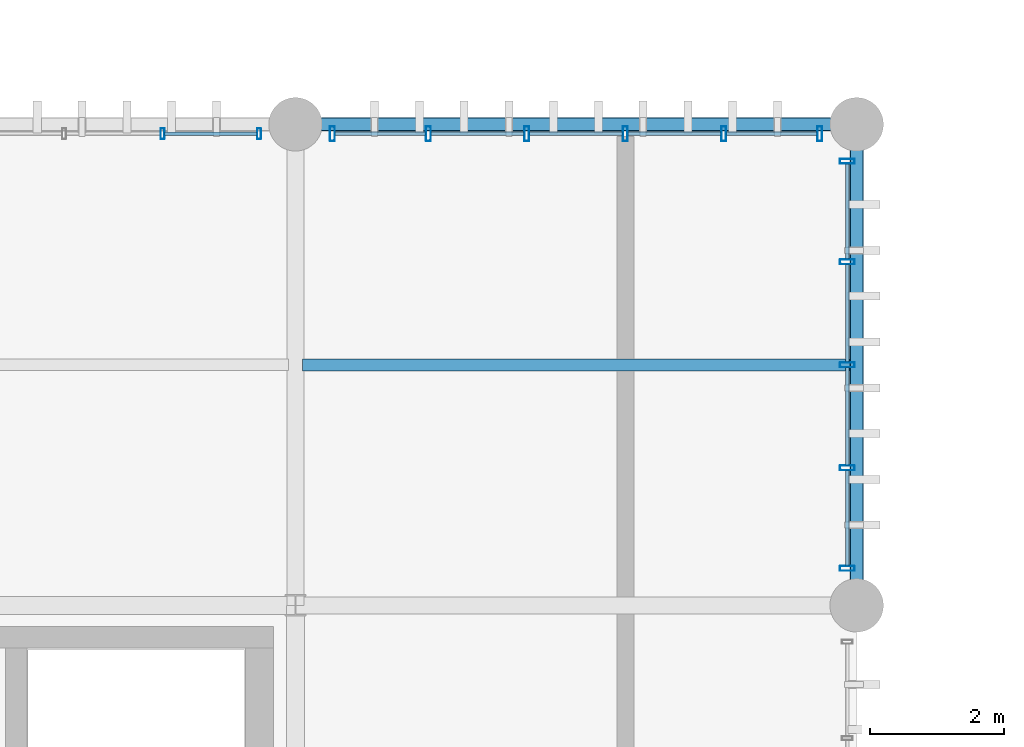
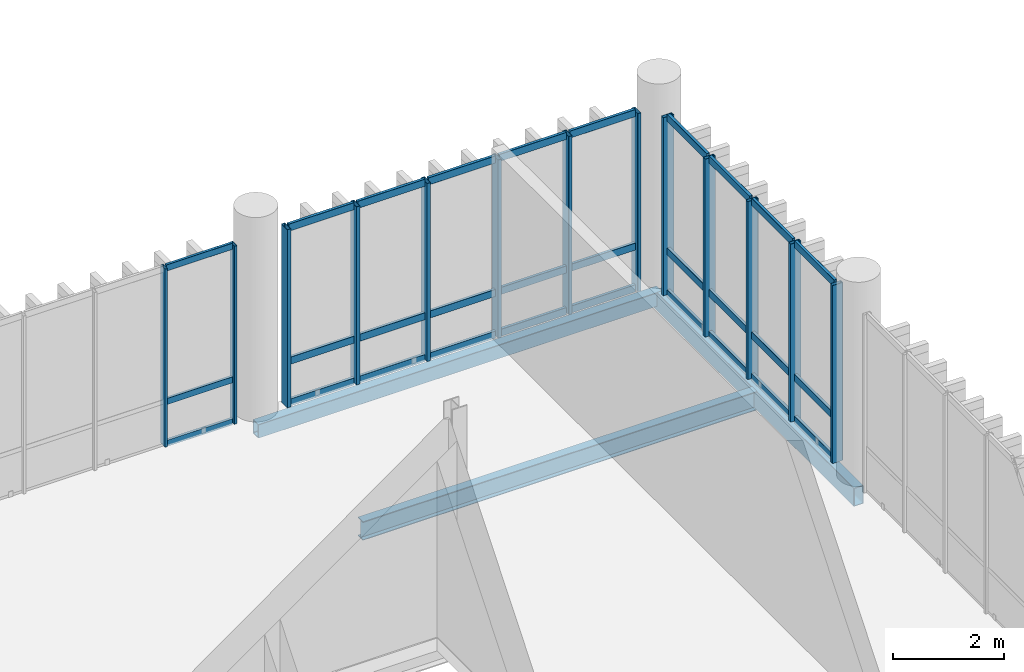
# One storey, part 34 of 68: 43 members, 3 beams, 3 elements without a shape of their own.
"""IFC4 building model written with IfcOpenShell, lengths in metres."""

from ifc_helpers import new_model, si_unit, direction, frame, origin_with_axes, origin_2d_with_axis, place, context, subcontext, project, spatial, hollow_rectangle, i_section, extrude, material, material_profile, profile_set, type_object, element, aggregate, save


model = new_model("IFC4")

# Units and contexts
model_context = context("Model", 3, precision=1e-05, world=origin_with_axes(), true_north=direction((0.0, 1.0)))
body_context = subcontext(model_context, "Body", "Model", "MODEL_VIEW")
ifc_project = project(units=[si_unit("LENGTHUNIT", "METRE"), si_unit("AREAUNIT", "SQUARE_METRE"), si_unit("VOLUMEUNIT", "CUBIC_METRE"), si_unit("PLANEANGLEUNIT", "RADIAN"), si_unit("MASSUNIT", "GRAM", prefix="KILO"), si_unit("THERMODYNAMICTEMPERATUREUNIT", "KELVIN")], contexts=[model_context])

# Site, building, storey
site_placement = place(None, origin_with_axes())
site = spatial("IfcSite", under=ifc_project, at=site_placement, CompositionType="ELEMENT")
building_placement = place(site_placement, origin_with_axes())
building = spatial("IfcBuilding", under=site, at=building_placement, Name="Montbau Bow Law Courts", CompositionType="ELEMENT")
storey_placement = place(building_placement, frame((0.0, 0.0, 20.4), z_axis=(0.0, 0.0, 1.0), x_axis=(1.0, 0.0, 0.0)))
storey = spatial("IfcBuildingStorey", under=building, at=storey_placement, Name="L04", CompositionType="ELEMENT", Elevation=20.4)

# Beams
ifc_material_1 = material(Name="Steel CSA G40.21 Grade 350W (350 MPa)", Category="steel")
ifc_material_profile_1 = material_profile(ifc_material_1, i_section(OverallWidth=0.179, OverallDepth=0.41, WebThickness=0.0088, FlangeThickness=0.0144, at=origin_2d_with_axis()), Name="W410X67", Category="Main", Priority=0)
ifc_profile_set_1 = profile_set([ifc_material_profile_1], Name="Steel CSA G40.21 Grade 350W (350 MPa)")
beam_type_1 = type_object("IfcBeamType", Name="B-JST-02", PredefinedType="JOIST", material=ifc_profile_set_1)
beam_1_placement = place(None, frame((88.903, 58.2, 19.915), z_axis=(1.0, 0.0, 0.0), x_axis=(0.0, 1.0, 0.0)))
element("IfcBeam", 1, at=beam_1_placement, inside=storey, type_object=beam_type_1, Name="JST-L04-S0493:jst2_0493", PredefinedType="JOIST", context=body_context, shape_type="SweptSolid", body=[
    extrude(i_section(OverallWidth=0.179, OverallDepth=0.41, WebThickness=0.0088, FlangeThickness=0.0144, at=origin_2d_with_axis()), origin_with_axes(), (0.0, 0.0, 1.0), 8.217),
])
ifc_material_2 = material(Name="Steel CSA G40.21 Grade 350WT (350 MPa)", Category="steel")
ifc_material_profile_2 = material_profile(ifc_material_2, hollow_rectangle(XDim=0.203, YDim=0.406, WallThickness=0.0127, InnerFilletRadius=0.0254, OuterFilletRadius=0.0127, at=origin_2d_with_axis()), Name="HSS406X203X13", Category="Main", Priority=0)
ifc_profile_set_2 = profile_set([ifc_material_profile_2], Name="Steel CSA G40.21 Grade 350WT (350 MPa)")
beam_type_2 = type_object("IfcBeamType", Name="B-SPN-01", PredefinedType="SPANDREL", material=ifc_profile_set_2)
beam_2_placement = place(None, frame((97.2, 54.6, 19.917), z_axis=(0.0, 1.0, 0.0), x_axis=(-1.0, 0.0, 0.0)))
element("IfcBeam", 2, at=beam_2_placement, inside=storey, type_object=beam_type_2, Name="SPN-L04-S0955:bm2_0958", PredefinedType="SPANDREL", context=body_context, shape_type="SweptSolid", body=[
    extrude(hollow_rectangle(XDim=0.203, YDim=0.406, WallThickness=0.0127, InnerFilletRadius=0.0254, OuterFilletRadius=0.0127, at=origin_2d_with_axis()), origin_with_axes(), (0.0, 0.0, 1.0), 7.2),
])
ifc_material_profile_3 = material_profile(ifc_material_2, hollow_rectangle(XDim=0.203, YDim=0.305, WallThickness=0.0127, InnerFilletRadius=0.0254, OuterFilletRadius=0.0127, at=origin_2d_with_axis()), Name="HSS305X203X13", Category="Main", Priority=0)
ifc_profile_set_3 = profile_set([ifc_material_profile_3], Name="Steel CSA G40.21 Grade 350WT (350 MPa)")
beam_type_3 = type_object("IfcBeamType", Name="B-SPN-02", PredefinedType="SPANDREL", material=ifc_profile_set_3)
beam_3_placement = place(None, frame((88.8, 61.8, 19.968), z_axis=(1.0, 0.0, 0.0), x_axis=(0.0, 1.0, 0.0)))
element("IfcBeam", 3, at=beam_3_placement, inside=storey, type_object=beam_type_3, Name="SPN-L04-S0938:bm2_0941", PredefinedType="SPANDREL", context=body_context, shape_type="SweptSolid", body=[
    extrude(hollow_rectangle(XDim=0.203, YDim=0.305, WallThickness=0.0127, InnerFilletRadius=0.0254, OuterFilletRadius=0.0127, at=origin_2d_with_axis()), origin_with_axes(), (0.0, 0.0, 1.0), 8.4),
])

# Curtain wall, members
ifc_material_3 = material(Name="Thermally Broken Extruded Aluminium AA 6063-T6", Category="aluminium")
curtain_wall_type = type_object("IfcCurtainWallType", Name="CW-CRM-01", PredefinedType="NOTDEFINED", material=ifc_material_3)
curtain_wall_1_placement = place(None, frame((89.315, 61.66, 20.4), z_axis=(0.0, 0.0, 1.0), x_axis=(1.0, 0.0, 0.0)))
curtain_wall_1 = element("IfcCurtainWall", 4, at=curtain_wall_1_placement, inside=storey, type_object=curtain_wall_type, Name="CW-L04-204:cw_0204", PredefinedType="NOTDEFINED")
ifc_material_profile_4 = material_profile(ifc_material_3, hollow_rectangle(XDim=0.075, YDim=0.22, WallThickness=0.005, InnerFilletRadius=0.01, OuterFilletRadius=0.005, at=origin_2d_with_axis()), Name="CWM-220X75", Category="Main", Priority=0)
ifc_profile_set_4 = profile_set([ifc_material_profile_4], Name="Thermally Broken Extruded Aluminium AA 6063-T6")
member_type_1 = type_object("IfcMemberType", Name="M-MUL-01", PredefinedType="MULLION", material=ifc_profile_set_4)
member_1_placement = place(None, frame((89.352, 61.66, 20.4), z_axis=(0.0, 0.0, 1.0), x_axis=(1.0, 0.0, 0.0)))
member_1 = element("IfcMember", 5, at=member_1_placement, type_object=member_type_1, Name="CW-L04-204-M01:cw_0204_M01", PredefinedType="MULLION", context=body_context, shape_type="SweptSolid", body=[
    extrude(hollow_rectangle(XDim=0.075, YDim=0.22, WallThickness=0.005, InnerFilletRadius=0.01, OuterFilletRadius=0.005, at=origin_2d_with_axis()), origin_with_axes(), (0.0, 0.0, 1.0), 3.92),
])
member_2_placement = place(None, frame((90.789, 61.66, 20.4), z_axis=(0.0, 0.0, 1.0), x_axis=(1.0, 0.0, 0.0)))
member_2 = element("IfcMember", 6, at=member_2_placement, type_object=member_type_1, Name="CW-L04-204-M02:cw_0204_M02", PredefinedType="MULLION", context=body_context, shape_type="SweptSolid", body=[
    extrude(hollow_rectangle(XDim=0.075, YDim=0.22, WallThickness=0.005, InnerFilletRadius=0.01, OuterFilletRadius=0.005, at=origin_2d_with_axis()), origin_with_axes(), (0.0, 0.0, 1.0), 3.92),
])
member_3_placement = place(None, frame((92.263, 61.66, 20.4), z_axis=(0.0, 0.0, 1.0), x_axis=(1.0, 0.0, 0.0)))
member_3 = element("IfcMember", 7, at=member_3_placement, type_object=member_type_1, Name="CW-L04-204-M03:cw_0204_M03", PredefinedType="MULLION", context=body_context, shape_type="SweptSolid", body=[
    extrude(hollow_rectangle(XDim=0.075, YDim=0.22, WallThickness=0.005, InnerFilletRadius=0.01, OuterFilletRadius=0.005, at=origin_2d_with_axis()), origin_with_axes(), (0.0, 0.0, 1.0), 3.92),
])
member_4_placement = place(None, frame((93.737, 61.66, 20.4), z_axis=(0.0, 0.0, 1.0), x_axis=(1.0, 0.0, 0.0)))
member_4 = element("IfcMember", 8, at=member_4_placement, type_object=member_type_1, Name="CW-L04-204-M04:cw_0204_M04", PredefinedType="MULLION", context=body_context, shape_type="SweptSolid", body=[
    extrude(hollow_rectangle(XDim=0.075, YDim=0.22, WallThickness=0.005, InnerFilletRadius=0.01, OuterFilletRadius=0.005, at=origin_2d_with_axis()), origin_with_axes(), (0.0, 0.0, 1.0), 3.92),
])
member_5_placement = place(None, frame((95.211, 61.66, 20.4), z_axis=(0.0, 0.0, 1.0), x_axis=(1.0, 0.0, 0.0)))
member_5 = element("IfcMember", 9, at=member_5_placement, type_object=member_type_1, Name="CW-L04-204-M05:cw_0204_M05", PredefinedType="MULLION", context=body_context, shape_type="SweptSolid", body=[
    extrude(hollow_rectangle(XDim=0.075, YDim=0.22, WallThickness=0.005, InnerFilletRadius=0.01, OuterFilletRadius=0.005, at=origin_2d_with_axis()), origin_with_axes(), (0.0, 0.0, 1.0), 3.92),
])
member_6_placement = place(None, frame((96.648, 61.66, 20.4), z_axis=(0.0, 0.0, 1.0), x_axis=(1.0, 0.0, 0.0)))
member_6 = element("IfcMember", 10, at=member_6_placement, type_object=member_type_1, Name="CW-L04-204-M06:cw_0204_M06", PredefinedType="MULLION", context=body_context, shape_type="SweptSolid", body=[
    extrude(hollow_rectangle(XDim=0.075, YDim=0.22, WallThickness=0.005, InnerFilletRadius=0.01, OuterFilletRadius=0.005, at=origin_2d_with_axis()), origin_with_axes(), (0.0, 0.0, 1.0), 3.92),
])

curtain_wall_2_placement = place(None, frame((97.06, 55.115, 20.4), z_axis=(0.0, 0.0, 1.0), x_axis=(1.0, 0.0, 0.0)))
curtain_wall_2 = element("IfcCurtainWall", 11, at=curtain_wall_2_placement, inside=storey, type_object=curtain_wall_type, Name="CW-L04-210:cw_0210", PredefinedType="NOTDEFINED")
member_7_placement = place(None, frame((97.06, 55.152, 20.4), z_axis=(0.0, 0.0, 1.0), x_axis=(0.0, 1.0, 0.0)))
member_7 = element("IfcMember", 12, at=member_7_placement, type_object=member_type_1, Name="CW-L04-210-M01:cw_0210_M01", PredefinedType="MULLION", context=body_context, shape_type="SweptSolid", body=[
    extrude(hollow_rectangle(XDim=0.075, YDim=0.22, WallThickness=0.005, InnerFilletRadius=0.01, OuterFilletRadius=0.005, at=origin_2d_with_axis()), origin_with_axes(), (0.0, 0.0, 1.0), 3.92),
])
member_8_placement = place(None, frame((97.06, 56.657, 20.4), z_axis=(0.0, 0.0, 1.0), x_axis=(0.0, 1.0, 0.0)))
member_8 = element("IfcMember", 13, at=member_8_placement, type_object=member_type_1, Name="CW-L04-210-M02:cw_0210_M02", PredefinedType="MULLION", context=body_context, shape_type="SweptSolid", body=[
    extrude(hollow_rectangle(XDim=0.075, YDim=0.22, WallThickness=0.005, InnerFilletRadius=0.01, OuterFilletRadius=0.005, at=origin_2d_with_axis()), origin_with_axes(), (0.0, 0.0, 1.0), 3.92),
])
member_9_placement = place(None, frame((97.06, 58.2, 20.4), z_axis=(0.0, 0.0, 1.0), x_axis=(0.0, 1.0, 0.0)))
member_9 = element("IfcMember", 14, at=member_9_placement, type_object=member_type_1, Name="CW-L04-210-M03:cw_0210_M03", PredefinedType="MULLION", context=body_context, shape_type="SweptSolid", body=[
    extrude(hollow_rectangle(XDim=0.075, YDim=0.22, WallThickness=0.005, InnerFilletRadius=0.01, OuterFilletRadius=0.005, at=origin_2d_with_axis()), origin_with_axes(), (0.0, 0.0, 1.0), 3.92),
])
member_10_placement = place(None, frame((97.06, 59.742, 20.4), z_axis=(0.0, 0.0, 1.0), x_axis=(0.0, 1.0, 0.0)))
member_10 = element("IfcMember", 15, at=member_10_placement, type_object=member_type_1, Name="CW-L04-210-M04:cw_0210_M04", PredefinedType="MULLION", context=body_context, shape_type="SweptSolid", body=[
    extrude(hollow_rectangle(XDim=0.075, YDim=0.22, WallThickness=0.005, InnerFilletRadius=0.01, OuterFilletRadius=0.005, at=origin_2d_with_axis()), origin_with_axes(), (0.0, 0.0, 1.0), 3.92),
])
member_11_placement = place(None, frame((97.06, 61.247, 20.4), z_axis=(0.0, 0.0, 1.0), x_axis=(0.0, 1.0, 0.0)))
member_11 = element("IfcMember", 16, at=member_11_placement, type_object=member_type_1, Name="CW-L04-210-M05:cw_0210_M05", PredefinedType="MULLION", context=body_context, shape_type="SweptSolid", body=[
    extrude(hollow_rectangle(XDim=0.075, YDim=0.22, WallThickness=0.005, InnerFilletRadius=0.01, OuterFilletRadius=0.005, at=origin_2d_with_axis()), origin_with_axes(), (0.0, 0.0, 1.0), 3.92),
])

curtain_wall_3_placement = place(None, frame((80.915, 61.66, 20.4), z_axis=(0.0, 0.0, 1.0), x_axis=(1.0, 0.0, 0.0)))
curtain_wall_3 = element("IfcCurtainWall", 17, at=curtain_wall_3_placement, inside=storey, type_object=curtain_wall_type, Name="CW-L04-203:cw_0203", PredefinedType="NOTDEFINED")
ifc_material_profile_5 = material_profile(ifc_material_3, hollow_rectangle(XDim=0.06, YDim=0.16, WallThickness=0.004, InnerFilletRadius=0.008, OuterFilletRadius=0.004, at=origin_2d_with_axis()), Name="CWM-160X60", Category="Main", Priority=0)
ifc_profile_set_5 = profile_set([ifc_material_profile_5], Name="Thermally Broken Extruded Aluminium AA 6063-T6")
member_type_2 = type_object("IfcMemberType", Name="M-MUL-03", PredefinedType="MULLION", material=ifc_profile_set_5)
member_12_placement = place(None, frame((86.811, 61.66, 20.4), z_axis=(0.0, 0.0, 1.0), x_axis=(1.0, 0.0, 0.0)))
member_12 = element("IfcMember", 18, at=member_12_placement, type_object=member_type_2, Name="CW-L04-203-M05:cw_0203_M05", PredefinedType="MULLION", context=body_context, shape_type="SweptSolid", body=[
    extrude(hollow_rectangle(XDim=0.06, YDim=0.16, WallThickness=0.004, InnerFilletRadius=0.008, OuterFilletRadius=0.004, at=origin_2d_with_axis()), origin_with_axes(), (0.0, 0.0, 1.0), 3.92),
])
member_13_placement = place(None, frame((88.255, 61.66, 20.4), z_axis=(0.0, 0.0, 1.0), x_axis=(1.0, 0.0, 0.0)))
member_13 = element("IfcMember", 19, at=member_13_placement, type_object=member_type_2, Name="CW-L04-203-M06:cw_0203_M06", PredefinedType="MULLION", context=body_context, shape_type="SweptSolid", body=[
    extrude(hollow_rectangle(XDim=0.06, YDim=0.16, WallThickness=0.004, InnerFilletRadius=0.008, OuterFilletRadius=0.004, at=origin_2d_with_axis()), origin_with_axes(), (0.0, 0.0, 1.0), 3.92),
])

# Member
ifc_material_profile_6 = material_profile(ifc_material_3, hollow_rectangle(XDim=0.06, YDim=0.16, WallThickness=0.004, InnerFilletRadius=0.008, OuterFilletRadius=0.004, at=origin_2d_with_axis()), Name="CWT-160X60", Category="Main", Priority=0)
ifc_profile_set_6 = profile_set([ifc_material_profile_6], Name="Thermally Broken Extruded Aluminium AA 6063-T6")
member_type_3 = type_object("IfcMemberType", Name="M-TRN-01", PredefinedType="USERDEFINED", material=ifc_profile_set_6)
member_14_placement = place(None, frame((89.391, 61.66, 20.43), z_axis=(1.0, 0.0, 0.0), x_axis=(0.0, 1.0, 0.0)))
member_14 = element("IfcMember", 20, at=member_14_placement, type_object=member_type_3, Name="CW-L04-204-T01-1:cw_0204_T01_1", ObjectType="TRANSOM", PredefinedType="USERDEFINED", context=body_context, shape_type="SweptSolid", body=[
    extrude(hollow_rectangle(XDim=0.06, YDim=0.16, WallThickness=0.004, InnerFilletRadius=0.008, OuterFilletRadius=0.004, at=origin_2d_with_axis()), origin_with_axes(), (0.0, 0.0, 1.0), 1.358),
])

member_15_placement = place(None, frame((89.391, 61.66, 21.35), z_axis=(1.0, 0.0, 0.0), x_axis=(0.0, 1.0, 0.0)))
member_15 = element("IfcMember", 21, at=member_15_placement, type_object=member_type_3, Name="CW-L04-204-T01-2:cw_0204_T01_2", ObjectType="TRANSOM", PredefinedType="USERDEFINED", context=body_context, shape_type="SweptSolid", body=[
    extrude(hollow_rectangle(XDim=0.06, YDim=0.16, WallThickness=0.004, InnerFilletRadius=0.008, OuterFilletRadius=0.004, at=origin_2d_with_axis()), origin_with_axes(), (0.0, 0.0, 1.0), 1.358),
])

member_16_placement = place(None, frame((89.391, 61.66, 24.29), z_axis=(1.0, 0.0, 0.0), x_axis=(0.0, 1.0, 0.0)))
member_16 = element("IfcMember", 22, at=member_16_placement, type_object=member_type_3, Name="CW-L04-204-T01-3:cw_0204_T01_3", ObjectType="TRANSOM", PredefinedType="USERDEFINED", context=body_context, shape_type="SweptSolid", body=[
    extrude(hollow_rectangle(XDim=0.06, YDim=0.16, WallThickness=0.004, InnerFilletRadius=0.008, OuterFilletRadius=0.004, at=origin_2d_with_axis()), origin_with_axes(), (0.0, 0.0, 1.0), 1.358),
])

member_17_placement = place(None, frame((90.829, 61.66, 20.43), z_axis=(1.0, 0.0, 0.0), x_axis=(0.0, 1.0, 0.0)))
member_17 = element("IfcMember", 23, at=member_17_placement, type_object=member_type_3, Name="CW-L04-204-T02-1:cw_0204_T02_1", ObjectType="TRANSOM", PredefinedType="USERDEFINED", context=body_context, shape_type="SweptSolid", body=[
    extrude(hollow_rectangle(XDim=0.06, YDim=0.16, WallThickness=0.004, InnerFilletRadius=0.008, OuterFilletRadius=0.004, at=origin_2d_with_axis()), origin_with_axes(), (0.0, 0.0, 1.0), 1.395),
])

member_18_placement = place(None, frame((90.829, 61.66, 21.35), z_axis=(1.0, 0.0, 0.0), x_axis=(0.0, 1.0, 0.0)))
member_18 = element("IfcMember", 24, at=member_18_placement, type_object=member_type_3, Name="CW-L04-204-T02-2:cw_0204_T02_2", ObjectType="TRANSOM", PredefinedType="USERDEFINED", context=body_context, shape_type="SweptSolid", body=[
    extrude(hollow_rectangle(XDim=0.06, YDim=0.16, WallThickness=0.004, InnerFilletRadius=0.008, OuterFilletRadius=0.004, at=origin_2d_with_axis()), origin_with_axes(), (0.0, 0.0, 1.0), 1.395),
])

member_19_placement = place(None, frame((90.829, 61.66, 24.29), z_axis=(1.0, 0.0, 0.0), x_axis=(0.0, 1.0, 0.0)))
member_19 = element("IfcMember", 25, at=member_19_placement, type_object=member_type_3, Name="CW-L04-204-T02-3:cw_0204_T02_3", ObjectType="TRANSOM", PredefinedType="USERDEFINED", context=body_context, shape_type="SweptSolid", body=[
    extrude(hollow_rectangle(XDim=0.06, YDim=0.16, WallThickness=0.004, InnerFilletRadius=0.008, OuterFilletRadius=0.004, at=origin_2d_with_axis()), origin_with_axes(), (0.0, 0.0, 1.0), 1.395),
])

member_20_placement = place(None, frame((92.302, 61.66, 20.43), z_axis=(1.0, 0.0, 0.0), x_axis=(0.0, 1.0, 0.0)))
member_20 = element("IfcMember", 26, at=member_20_placement, type_object=member_type_3, Name="CW-L04-204-T03-1:cw_0204_T03_1", ObjectType="TRANSOM", PredefinedType="USERDEFINED", context=body_context, shape_type="SweptSolid", body=[
    extrude(hollow_rectangle(XDim=0.06, YDim=0.16, WallThickness=0.004, InnerFilletRadius=0.008, OuterFilletRadius=0.004, at=origin_2d_with_axis()), origin_with_axes(), (0.0, 0.0, 1.0), 1.396),
])

member_21_placement = place(None, frame((92.302, 61.66, 21.35), z_axis=(1.0, 0.0, 0.0), x_axis=(0.0, 1.0, 0.0)))
member_21 = element("IfcMember", 27, at=member_21_placement, type_object=member_type_3, Name="CW-L04-204-T03-2:cw_0204_T03_2", ObjectType="TRANSOM", PredefinedType="USERDEFINED", context=body_context, shape_type="SweptSolid", body=[
    extrude(hollow_rectangle(XDim=0.06, YDim=0.16, WallThickness=0.004, InnerFilletRadius=0.008, OuterFilletRadius=0.004, at=origin_2d_with_axis()), origin_with_axes(), (0.0, 0.0, 1.0), 1.396),
])

member_22_placement = place(None, frame((92.302, 61.66, 24.29), z_axis=(1.0, 0.0, 0.0), x_axis=(0.0, 1.0, 0.0)))
member_22 = element("IfcMember", 28, at=member_22_placement, type_object=member_type_3, Name="CW-L04-204-T03-3:cw_0204_T03_3", ObjectType="TRANSOM", PredefinedType="USERDEFINED", context=body_context, shape_type="SweptSolid", body=[
    extrude(hollow_rectangle(XDim=0.06, YDim=0.16, WallThickness=0.004, InnerFilletRadius=0.008, OuterFilletRadius=0.004, at=origin_2d_with_axis()), origin_with_axes(), (0.0, 0.0, 1.0), 1.396),
])

member_23_placement = place(None, frame((93.776, 61.66, 20.43), z_axis=(1.0, 0.0, 0.0), x_axis=(0.0, 1.0, 0.0)))
member_23 = element("IfcMember", 29, at=member_23_placement, type_object=member_type_3, Name="CW-L04-204-T04-1:cw_0204_T04_1", ObjectType="TRANSOM", PredefinedType="USERDEFINED", context=body_context, shape_type="SweptSolid", body=[
    extrude(hollow_rectangle(XDim=0.06, YDim=0.16, WallThickness=0.004, InnerFilletRadius=0.008, OuterFilletRadius=0.004, at=origin_2d_with_axis()), origin_with_axes(), (0.0, 0.0, 1.0), 1.396),
])

member_24_placement = place(None, frame((93.776, 61.66, 21.35), z_axis=(1.0, 0.0, 0.0), x_axis=(0.0, 1.0, 0.0)))
member_24 = element("IfcMember", 30, at=member_24_placement, type_object=member_type_3, Name="CW-L04-204-T04-2:cw_0204_T04_2", ObjectType="TRANSOM", PredefinedType="USERDEFINED", context=body_context, shape_type="SweptSolid", body=[
    extrude(hollow_rectangle(XDim=0.06, YDim=0.16, WallThickness=0.004, InnerFilletRadius=0.008, OuterFilletRadius=0.004, at=origin_2d_with_axis()), origin_with_axes(), (0.0, 0.0, 1.0), 1.396),
])

member_25_placement = place(None, frame((93.776, 61.66, 24.29), z_axis=(1.0, 0.0, 0.0), x_axis=(0.0, 1.0, 0.0)))
member_25 = element("IfcMember", 31, at=member_25_placement, type_object=member_type_3, Name="CW-L04-204-T04-3:cw_0204_T04_3", ObjectType="TRANSOM", PredefinedType="USERDEFINED", context=body_context, shape_type="SweptSolid", body=[
    extrude(hollow_rectangle(XDim=0.06, YDim=0.16, WallThickness=0.004, InnerFilletRadius=0.008, OuterFilletRadius=0.004, at=origin_2d_with_axis()), origin_with_axes(), (0.0, 0.0, 1.0), 1.396),
])

member_26_placement = place(None, frame((95.25, 61.66, 20.43), z_axis=(1.0, 0.0, 0.0), x_axis=(0.0, 1.0, 0.0)))
member_26 = element("IfcMember", 32, at=member_26_placement, type_object=member_type_3, Name="CW-L04-204-T05-1:cw_0204_T05_1", ObjectType="TRANSOM", PredefinedType="USERDEFINED", context=body_context, shape_type="SweptSolid", body=[
    extrude(hollow_rectangle(XDim=0.06, YDim=0.16, WallThickness=0.004, InnerFilletRadius=0.008, OuterFilletRadius=0.004, at=origin_2d_with_axis()), origin_with_axes(), (0.0, 0.0, 1.0), 1.359),
])

member_27_placement = place(None, frame((95.25, 61.66, 21.35), z_axis=(1.0, 0.0, 0.0), x_axis=(0.0, 1.0, 0.0)))
member_27 = element("IfcMember", 33, at=member_27_placement, type_object=member_type_3, Name="CW-L04-204-T05-2:cw_0204_T05_2", ObjectType="TRANSOM", PredefinedType="USERDEFINED", context=body_context, shape_type="SweptSolid", body=[
    extrude(hollow_rectangle(XDim=0.06, YDim=0.16, WallThickness=0.004, InnerFilletRadius=0.008, OuterFilletRadius=0.004, at=origin_2d_with_axis()), origin_with_axes(), (0.0, 0.0, 1.0), 1.359),
])

member_28_placement = place(None, frame((95.25, 61.66, 24.29), z_axis=(1.0, 0.0, 0.0), x_axis=(0.0, 1.0, 0.0)))
member_28 = element("IfcMember", 34, at=member_28_placement, type_object=member_type_3, Name="CW-L04-204-T05-3:cw_0204_T05_3", ObjectType="TRANSOM", PredefinedType="USERDEFINED", context=body_context, shape_type="SweptSolid", body=[
    extrude(hollow_rectangle(XDim=0.06, YDim=0.16, WallThickness=0.004, InnerFilletRadius=0.008, OuterFilletRadius=0.004, at=origin_2d_with_axis()), origin_with_axes(), (0.0, 0.0, 1.0), 1.359),
])

aggregate(curtain_wall_1, [member_1, member_2, member_3, member_4, member_5, member_6, member_14, member_15, member_16, member_17, member_18, member_19, member_20, member_21, member_22, member_23, member_24, member_25, member_26, member_27, member_28])

member_29_placement = place(None, frame((97.06, 55.191, 20.43), z_axis=(0.0, 1.0, 0.0), x_axis=(-1.0, 0.0, 0.0)))
member_29 = element("IfcMember", 35, at=member_29_placement, type_object=member_type_3, Name="CW-L04-210-T01-1:cw_0210_T01_1", ObjectType="TRANSOM", PredefinedType="USERDEFINED", context=body_context, shape_type="SweptSolid", body=[
    extrude(hollow_rectangle(XDim=0.06, YDim=0.16, WallThickness=0.004, InnerFilletRadius=0.008, OuterFilletRadius=0.004, at=origin_2d_with_axis()), origin_with_axes(), (0.0, 0.0, 1.0), 1.426),
])

member_30_placement = place(None, frame((97.06, 55.191, 21.35), z_axis=(0.0, 1.0, 0.0), x_axis=(-1.0, 0.0, 0.0)))
member_30 = element("IfcMember", 36, at=member_30_placement, type_object=member_type_3, Name="CW-L04-210-T01-2:cw_0210_T01_2", ObjectType="TRANSOM", PredefinedType="USERDEFINED", context=body_context, shape_type="SweptSolid", body=[
    extrude(hollow_rectangle(XDim=0.06, YDim=0.16, WallThickness=0.004, InnerFilletRadius=0.008, OuterFilletRadius=0.004, at=origin_2d_with_axis()), origin_with_axes(), (0.0, 0.0, 1.0), 1.426),
])

member_31_placement = place(None, frame((97.06, 55.191, 24.29), z_axis=(0.0, 1.0, 0.0), x_axis=(-1.0, 0.0, 0.0)))
member_31 = element("IfcMember", 37, at=member_31_placement, type_object=member_type_3, Name="CW-L04-210-T01-3:cw_0210_T01_3", ObjectType="TRANSOM", PredefinedType="USERDEFINED", context=body_context, shape_type="SweptSolid", body=[
    extrude(hollow_rectangle(XDim=0.06, YDim=0.16, WallThickness=0.004, InnerFilletRadius=0.008, OuterFilletRadius=0.004, at=origin_2d_with_axis()), origin_with_axes(), (0.0, 0.0, 1.0), 1.426),
])

member_32_placement = place(None, frame((97.06, 56.697, 20.43), z_axis=(0.0, 1.0, 0.0), x_axis=(-1.0, 0.0, 0.0)))
member_32 = element("IfcMember", 38, at=member_32_placement, type_object=member_type_3, Name="CW-L04-210-T02-1:cw_0210_T02_1", ObjectType="TRANSOM", PredefinedType="USERDEFINED", context=body_context, shape_type="SweptSolid", body=[
    extrude(hollow_rectangle(XDim=0.06, YDim=0.16, WallThickness=0.004, InnerFilletRadius=0.008, OuterFilletRadius=0.004, at=origin_2d_with_axis()), origin_with_axes(), (0.0, 0.0, 1.0), 1.464),
])

member_33_placement = place(None, frame((97.06, 56.697, 21.35), z_axis=(0.0, 1.0, 0.0), x_axis=(-1.0, 0.0, 0.0)))
member_33 = element("IfcMember", 39, at=member_33_placement, type_object=member_type_3, Name="CW-L04-210-T02-2:cw_0210_T02_2", ObjectType="TRANSOM", PredefinedType="USERDEFINED", context=body_context, shape_type="SweptSolid", body=[
    extrude(hollow_rectangle(XDim=0.06, YDim=0.16, WallThickness=0.004, InnerFilletRadius=0.008, OuterFilletRadius=0.004, at=origin_2d_with_axis()), origin_with_axes(), (0.0, 0.0, 1.0), 1.464),
])

member_34_placement = place(None, frame((97.06, 56.697, 24.29), z_axis=(0.0, 1.0, 0.0), x_axis=(-1.0, 0.0, 0.0)))
member_34 = element("IfcMember", 40, at=member_34_placement, type_object=member_type_3, Name="CW-L04-210-T02-3:cw_0210_T02_3", ObjectType="TRANSOM", PredefinedType="USERDEFINED", context=body_context, shape_type="SweptSolid", body=[
    extrude(hollow_rectangle(XDim=0.06, YDim=0.16, WallThickness=0.004, InnerFilletRadius=0.008, OuterFilletRadius=0.004, at=origin_2d_with_axis()), origin_with_axes(), (0.0, 0.0, 1.0), 1.464),
])

member_35_placement = place(None, frame((97.06, 58.239, 20.43), z_axis=(0.0, 1.0, 0.0), x_axis=(-1.0, 0.0, 0.0)))
member_35 = element("IfcMember", 41, at=member_35_placement, type_object=member_type_3, Name="CW-L04-210-T03-1:cw_0210_T03_1", ObjectType="TRANSOM", PredefinedType="USERDEFINED", context=body_context, shape_type="SweptSolid", body=[
    extrude(hollow_rectangle(XDim=0.06, YDim=0.16, WallThickness=0.004, InnerFilletRadius=0.008, OuterFilletRadius=0.004, at=origin_2d_with_axis()), origin_with_axes(), (0.0, 0.0, 1.0), 1.464),
])

member_36_placement = place(None, frame((97.06, 58.239, 21.35), z_axis=(0.0, 1.0, 0.0), x_axis=(-1.0, 0.0, 0.0)))
member_36 = element("IfcMember", 42, at=member_36_placement, type_object=member_type_3, Name="CW-L04-210-T03-2:cw_0210_T03_2", ObjectType="TRANSOM", PredefinedType="USERDEFINED", context=body_context, shape_type="SweptSolid", body=[
    extrude(hollow_rectangle(XDim=0.06, YDim=0.16, WallThickness=0.004, InnerFilletRadius=0.008, OuterFilletRadius=0.004, at=origin_2d_with_axis()), origin_with_axes(), (0.0, 0.0, 1.0), 1.464),
])

member_37_placement = place(None, frame((97.06, 58.239, 24.29), z_axis=(0.0, 1.0, 0.0), x_axis=(-1.0, 0.0, 0.0)))
member_37 = element("IfcMember", 43, at=member_37_placement, type_object=member_type_3, Name="CW-L04-210-T03-3:cw_0210_T03_3", ObjectType="TRANSOM", PredefinedType="USERDEFINED", context=body_context, shape_type="SweptSolid", body=[
    extrude(hollow_rectangle(XDim=0.06, YDim=0.16, WallThickness=0.004, InnerFilletRadius=0.008, OuterFilletRadius=0.004, at=origin_2d_with_axis()), origin_with_axes(), (0.0, 0.0, 1.0), 1.464),
])

member_38_placement = place(None, frame((97.06, 59.781, 20.43), z_axis=(0.0, 1.0, 0.0), x_axis=(-1.0, 0.0, 0.0)))
member_38 = element("IfcMember", 44, at=member_38_placement, type_object=member_type_3, Name="CW-L04-210-T04-1:cw_0210_T04_1", ObjectType="TRANSOM", PredefinedType="USERDEFINED", context=body_context, shape_type="SweptSolid", body=[
    extrude(hollow_rectangle(XDim=0.06, YDim=0.16, WallThickness=0.004, InnerFilletRadius=0.008, OuterFilletRadius=0.004, at=origin_2d_with_axis()), origin_with_axes(), (0.0, 0.0, 1.0), 1.427),
])

member_39_placement = place(None, frame((97.06, 59.781, 21.35), z_axis=(0.0, 1.0, 0.0), x_axis=(-1.0, 0.0, 0.0)))
member_39 = element("IfcMember", 45, at=member_39_placement, type_object=member_type_3, Name="CW-L04-210-T04-2:cw_0210_T04_2", ObjectType="TRANSOM", PredefinedType="USERDEFINED", context=body_context, shape_type="SweptSolid", body=[
    extrude(hollow_rectangle(XDim=0.06, YDim=0.16, WallThickness=0.004, InnerFilletRadius=0.008, OuterFilletRadius=0.004, at=origin_2d_with_axis()), origin_with_axes(), (0.0, 0.0, 1.0), 1.427),
])

member_40_placement = place(None, frame((97.06, 59.781, 24.29), z_axis=(0.0, 1.0, 0.0), x_axis=(-1.0, 0.0, 0.0)))
member_40 = element("IfcMember", 46, at=member_40_placement, type_object=member_type_3, Name="CW-L04-210-T04-3:cw_0210_T04_3", ObjectType="TRANSOM", PredefinedType="USERDEFINED", context=body_context, shape_type="SweptSolid", body=[
    extrude(hollow_rectangle(XDim=0.06, YDim=0.16, WallThickness=0.004, InnerFilletRadius=0.008, OuterFilletRadius=0.004, at=origin_2d_with_axis()), origin_with_axes(), (0.0, 0.0, 1.0), 1.427),
])

aggregate(curtain_wall_2, [member_7, member_8, member_9, member_10, member_11, member_29, member_30, member_31, member_32, member_33, member_34, member_35, member_36, member_37, member_38, member_39, member_40])

ifc_material_profile_7 = material_profile(ifc_material_3, hollow_rectangle(XDim=0.055, YDim=0.14, WallThickness=0.004, InnerFilletRadius=0.008, OuterFilletRadius=0.004, at=origin_2d_with_axis()), Name="CWT-140X55", Category="Main", Priority=0)
ifc_profile_set_7 = profile_set([ifc_material_profile_7], Name="Thermally Broken Extruded Aluminium AA 6063-T6")
member_type_4 = type_object("IfcMemberType", Name="M-TRN-02", PredefinedType="USERDEFINED", material=ifc_profile_set_7)
member_41_placement = place(None, frame((86.843, 61.66, 20.427), z_axis=(1.0, 0.0, 0.0), x_axis=(0.0, 1.0, 0.0)))
member_41 = element("IfcMember", 47, at=member_41_placement, type_object=member_type_4, Name="CW-L04-203-T05-1:cw_0203_T05_1", ObjectType="TRANSOM", PredefinedType="USERDEFINED", context=body_context, shape_type="SweptSolid", body=[
    extrude(hollow_rectangle(XDim=0.055, YDim=0.14, WallThickness=0.004, InnerFilletRadius=0.008, OuterFilletRadius=0.004, at=origin_2d_with_axis()), origin_with_axes(), (0.0, 0.0, 1.0), 1.38),
])

member_42_placement = place(None, frame((86.843, 61.66, 21.35), z_axis=(1.0, 0.0, 0.0), x_axis=(0.0, 1.0, 0.0)))
member_42 = element("IfcMember", 48, at=member_42_placement, type_object=member_type_4, Name="CW-L04-203-T05-2:cw_0203_T05_2", ObjectType="TRANSOM", PredefinedType="USERDEFINED", context=body_context, shape_type="SweptSolid", body=[
    extrude(hollow_rectangle(XDim=0.055, YDim=0.14, WallThickness=0.004, InnerFilletRadius=0.008, OuterFilletRadius=0.004, at=origin_2d_with_axis()), origin_with_axes(), (0.0, 0.0, 1.0), 1.38),
])

member_43_placement = place(None, frame((86.843, 61.66, 24.293), z_axis=(1.0, 0.0, 0.0), x_axis=(0.0, 1.0, 0.0)))
member_43 = element("IfcMember", 49, at=member_43_placement, type_object=member_type_4, Name="CW-L04-203-T05-3:cw_0203_T05_3", ObjectType="TRANSOM", PredefinedType="USERDEFINED", context=body_context, shape_type="SweptSolid", body=[
    extrude(hollow_rectangle(XDim=0.055, YDim=0.14, WallThickness=0.004, InnerFilletRadius=0.008, OuterFilletRadius=0.004, at=origin_2d_with_axis()), origin_with_axes(), (0.0, 0.0, 1.0), 1.38),
])

aggregate(curtain_wall_3, [member_12, member_13, member_41, member_42, member_43])

save(model, "model.ifc")
